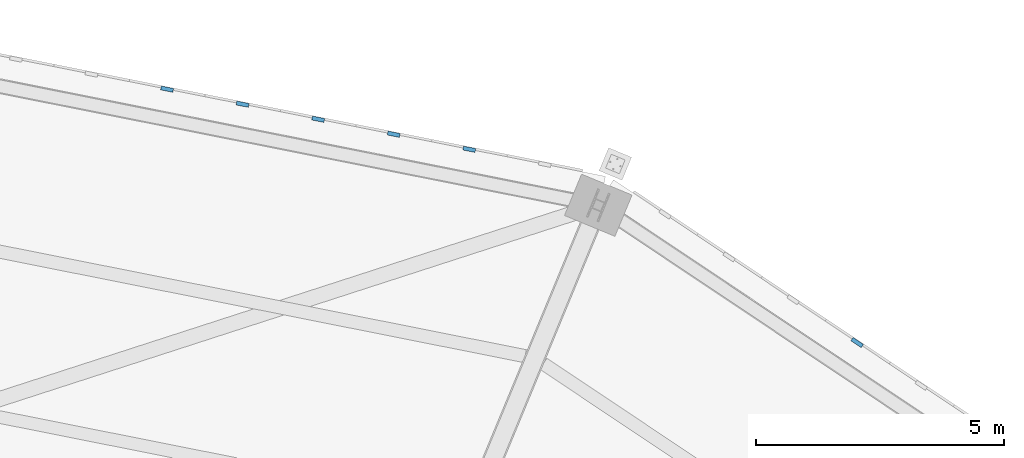
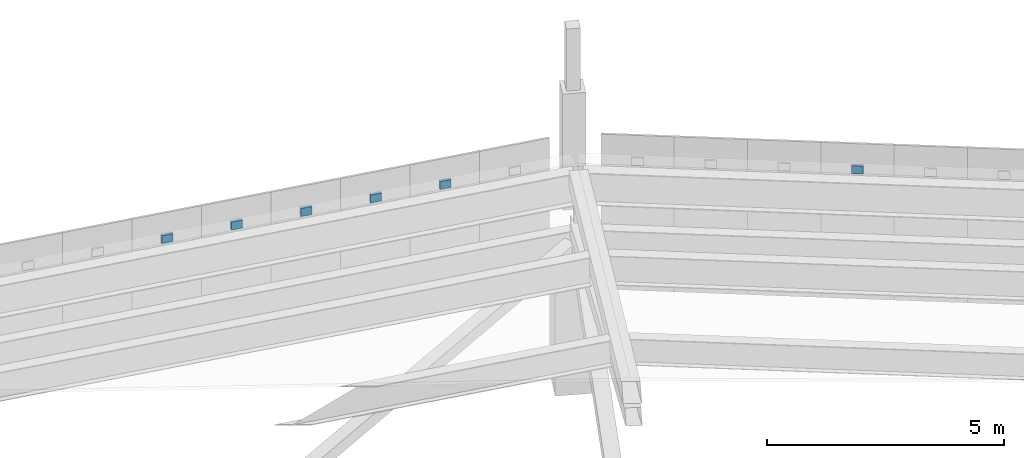
# One storey, part 267 of 278: 6 discrete accessories.
"""IFC4 building model written with IfcOpenShell, lengths in metres."""

from ifc_helpers import new_model, si_unit, direction, frame, origin, origin_2d, place, context, subcontext, project, spatial, rectangle, extrude, material, layer, layer_set, type_object, element, save


model = new_model("IFC4")

# Units and contexts
model_context = context("Model", 3, precision=1e-05, world=origin(), true_north=direction((0.0, 1.0)))
body_context = subcontext(model_context, "Body", "Model", "MODEL_VIEW")
ifc_project = project(units=[si_unit("LENGTHUNIT", "METRE"), si_unit("AREAUNIT", "SQUARE_METRE"), si_unit("VOLUMEUNIT", "CUBIC_METRE"), si_unit("PLANEANGLEUNIT", "RADIAN"), si_unit("MASSUNIT", "GRAM", prefix="KILO")], contexts=[model_context])

# Site, building, storey
site_placement = place(None, origin())
site = spatial("IfcSite", under=ifc_project, at=site_placement, CompositionType="ELEMENT")
building_placement = place(site_placement, origin())
building = spatial("IfcBuilding", under=site, at=building_placement, Name="Ogive Plaza Stadium", CompositionType="ELEMENT")
storey_placement = place(building_placement, frame((0.0, 0.0, 29.0)))
storey = spatial("IfcBuildingStorey", under=building, at=storey_placement, Name="Roof", CompositionType="ELEMENT", Elevation=29.0)

# Discrete accessories
ifc_material = material(Name="Steel ASTM A572 Grade 50", Category="steel")
ifc_layer = layer(ifc_material, 0.080078125)
ifc_layer_set = layer_set([ifc_layer], Name="Steel ASTM A572 Grade 50")
discrete_accessory_type = type_object("IfcDiscreteAccessoryType", Name="Tracery screen bracket 250x200", PredefinedType="BRACKET", material=ifc_layer_set)
for number, where, z_axis, x_axis, name in (
    (1, (44.4453125, 101.033447265625, 5.25), (0.0, 0.0, 1.0), (0.980785280403, -0.195090322016, 0.0), "TRACERY SCREEN BRACKET B37 7"),
    (2, (45.967529296875, 100.730712890625, 5.25), (0.0, 0.0, 1.0), (0.980785280403, -0.195090322016, 0.0), "TRACERY SCREEN BRACKET B37 8"),
    (3, (47.489990234375, 100.427978515625, 5.25), (0.0, 0.0, 1.0), (0.980785280403, -0.195090322016, 0.0), "TRACERY SCREEN BRACKET B37 9"),
    (4, (49.01220703125, 100.125, 5.25), (0.0, 0.0, 1.0), (0.980785280403, -0.195090322016, 0.0), "TRACERY SCREEN BRACKET B37 10"),
    (5, (50.53466796875, 99.822265625, 5.25), (0.0, 0.0, 1.0), (0.980785280403, -0.195090322016, 0.0), "TRACERY SCREEN BRACKET B37 11"),
    (6, (58.351318359375, 95.928955078125, 5.25), (0.0, 0.0, 1.0), (0.831469612303, -0.55557023302, 0.0), "TRACERY SCREEN BRACKET B38 4"),
):
    element("IfcDiscreteAccessory", number, at=place(storey_placement, frame(where, z_axis=z_axis, x_axis=x_axis)), inside=storey, type_object=discrete_accessory_type, Name=name, PredefinedType="BRACKET", context=body_context, shape_type="SweptSolid", body=[
        extrude(rectangle(XDim=0.25, YDim=0.080078125, at=origin_2d()), origin(), (0.0, 0.0, 1.0), 0.199951171875),
    ])

save(model, "model.ifc")
